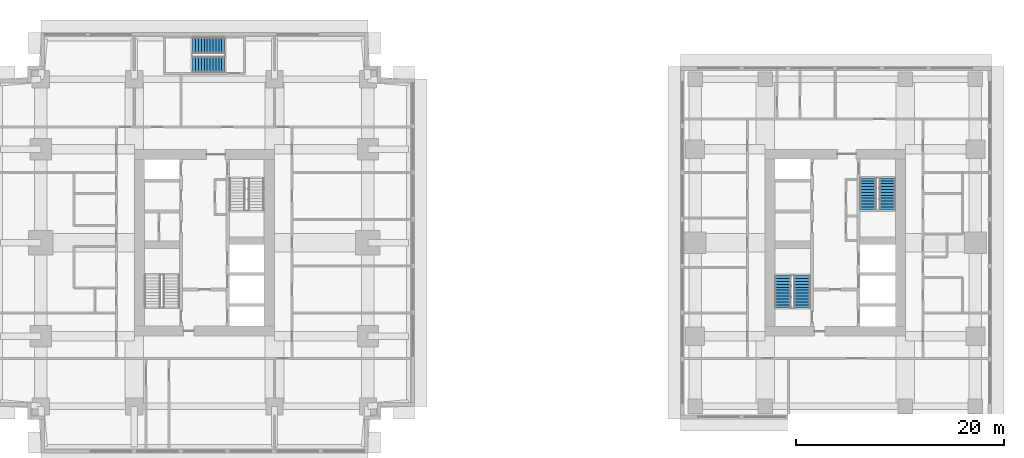
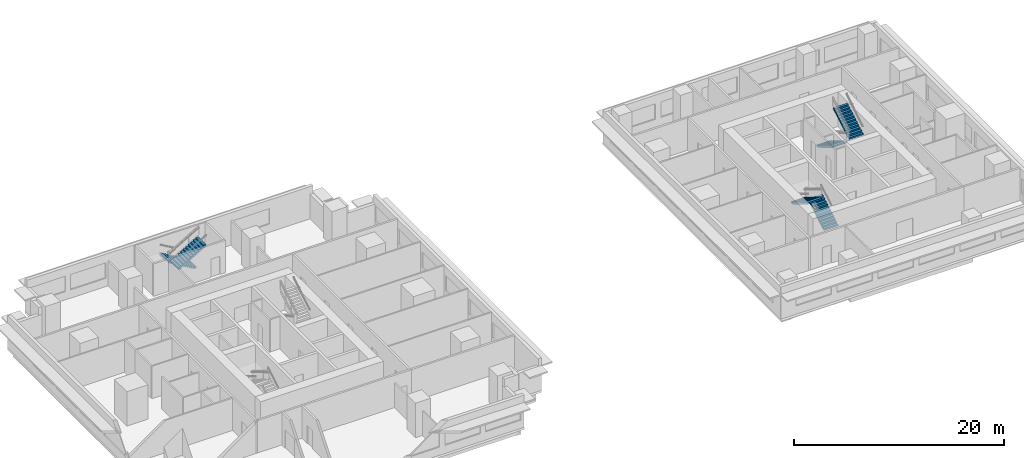
# One storey, part 9 of 11: 6 stair flights, 3 elements without a shape of their own.
"""IFC4 building model written with IfcOpenShell, lengths in metres."""

from ifc_helpers import new_model, si_unit, direction, frame, origin, place, context, subcontext, project, spatial, polyline, outline, extrude, material, type_object, element, aggregate, save


model = new_model("IFC4")

# Units and contexts
model_context = context("Model", 3, precision=1e-05, world=origin(), true_north=direction((0.0, 1.0)))
body_context = subcontext(model_context, "Body", "Model", "MODEL_VIEW")
ifc_project = project(units=[si_unit("LENGTHUNIT", "METRE"), si_unit("AREAUNIT", "SQUARE_METRE"), si_unit("VOLUMEUNIT", "CUBIC_METRE"), si_unit("PLANEANGLEUNIT", "RADIAN"), si_unit("MASSUNIT", "GRAM", prefix="KILO")], contexts=[model_context])

# Site, building, storey
site_placement = place(None, origin())
site = spatial("IfcSite", under=ifc_project, at=site_placement, CompositionType="ELEMENT")
building_placement = place(site_placement, origin())
building = spatial("IfcBuilding", under=site, at=building_placement, Name="Namib Vertical Campus", CompositionType="ELEMENT")
storey_placement = place(building_placement, frame((0.0, 0.0, 181.0)))
storey = spatial("IfcBuildingStorey", under=building, at=storey_placement, Name="L42", CompositionType="ELEMENT", Elevation=181.0)

# Stair, stair flights
ifc_material_1 = material(Name="Concrete C40/50 precast", Category="concrete")
stair_type_1 = type_object("IfcStairType", Name="Exit stair 4000 rise 24 risers 3350 wide", PredefinedType="HALF_TURN_STAIR", material=ifc_material_1)
stair_1_placement = place(storey_placement, origin())
stair_1 = element("IfcStair", 1, at=stair_1_placement, inside=storey, type_object=stair_type_1, Name="Exit stair A-S3 L42", PredefinedType="HALF_TURN_STAIR")
ifc_material_2 = material(Name="Concrete C40/50 precast", Category="concrete")
stair_flight_type_1 = type_object("IfcStairFlightType", Name="Stair flight 12 risers 167 1525 wide", PredefinedType="STRAIGHT", material=ifc_material_2)
stair_flight_1_placement = place(storey_placement, frame((22.199951171875, 39.237548828125, 0.0), z_axis=(0.0, 0.0, 1.0), x_axis=(-1.0, 0.0, 0.0)))
stair_flight_1 = element("IfcStairFlight", 2, at=stair_flight_1_placement, type_object=stair_flight_type_1, Name="A-S3 flight 1", NumberOfRisers=12, NumberOfTreads=11, PredefinedType="STRAIGHT", RiserHeight=0.166666667, TreadLength=0.28, context=body_context, shape_type="SweptSolid", body=[
    extrude(outline(polyline([(0.0, 0.0), (0.0, 0.166748046875), (0.280029296875, 0.166748046875), (0.280029296875, 0.333251953125), (0.56005859375, 0.333251953125), (0.56005859375, 0.5), (0.840087890625, 0.5), (0.840087890625, 0.666748046875), (1.1201171875, 0.666748046875), (1.1201171875, 0.833251953125), (1.39990234375, 0.833251953125), (1.39990234375, 1.0), (1.679931640625, 1.0), (1.679931640625, 1.166748046875), (1.9599609375, 1.166748046875), (1.9599609375, 1.333251953125), (2.239990234375, 1.333251953125), (2.239990234375, 1.5), (2.52001953125, 1.5), (2.52001953125, 1.666748046875), (2.800048828125, 1.666748046875), (2.800048828125, 1.833251953125), (3.080078125, 1.833251953125), (3.080078125, 2.0), (3.080078125, 1.658935546875), (0.29296875, 0.0), (0.0, 0.0)])), frame((0.0, 0.762451171875, 0.0), z_axis=(0.0, -1.0, 0.0), x_axis=(1.0, 0.0, 0.0)), (0.0, 0.0, 1.0), 1.52490234375),
])
stair_flight_2_placement = place(storey_placement, frame((19.1201171875, 37.41259765625, 2.0), z_axis=(0.0, 0.0, 1.0), x_axis=(1.0, 0.0, 0.0)))
stair_flight_2 = element("IfcStairFlight", 3, at=stair_flight_2_placement, type_object=stair_flight_type_1, Name="A-S3 flight 2", NumberOfRisers=12, NumberOfTreads=11, PredefinedType="STRAIGHT", RiserHeight=0.166666667, TreadLength=0.28, context=body_context, shape_type="SweptSolid", body=[
    extrude(outline(polyline([(0.0, 0.0), (0.0, 0.166748046875), (0.280029296875, 0.166748046875), (0.280029296875, 0.333251953125), (0.56005859375, 0.333251953125), (0.56005859375, 0.5), (0.840087890625, 0.5), (0.840087890625, 0.666748046875), (1.1201171875, 0.666748046875), (1.1201171875, 0.833251953125), (1.39990234375, 0.833251953125), (1.39990234375, 1.0), (1.679931640625, 1.0), (1.679931640625, 1.166748046875), (1.9599609375, 1.166748046875), (1.9599609375, 1.333251953125), (2.239990234375, 1.333251953125), (2.239990234375, 1.5), (2.52001953125, 1.5), (2.52001953125, 1.666748046875), (2.800048828125, 1.666748046875), (2.800048828125, 1.833251953125), (3.080078125, 1.833251953125), (3.080078125, 2.0), (3.080078125, 1.658935546875), (0.29296875, 0.0), (0.0, 0.0)])), frame((0.0, 0.762451171875, 0.0), z_axis=(0.0, -1.0, 0.0), x_axis=(1.0, 0.0, 0.0)), (0.0, 0.0, 1.0), 1.52490234375),
])
aggregate(stair_1, [stair_flight_1, stair_flight_2])

ifc_material_3 = material(Name="Concrete C40/50 precast", Category="concrete")
stair_type_2 = type_object("IfcStairType", Name="Exit stair 4000 rise 24 risers 3400 wide", PredefinedType="HALF_TURN_STAIR", material=ifc_material_3)
stair_2_placement = place(storey_placement, origin())
stair_2 = element("IfcStair", 4, at=stair_2_placement, inside=storey, type_object=stair_type_2, Name="Exit stair B-S1 L42", PredefinedType="HALF_TURN_STAIR")
ifc_material_4 = material(Name="Concrete C40/50 precast", Category="concrete")
stair_flight_type_2 = type_object("IfcStairFlightType", Name="Stair flight 12 risers 167 1550 wide", PredefinedType="STRAIGHT", material=ifc_material_4)
stair_flight_3_placement = place(storey_placement, frame((77.824951171875, 14.0, 0.0), z_axis=(0.0, 0.0, 1.0), x_axis=(0.0, 1.0, 0.0)))
stair_flight_3 = element("IfcStairFlight", 5, at=stair_flight_3_placement, type_object=stair_flight_type_2, Name="B-S1 flight 1", NumberOfRisers=12, NumberOfTreads=11, PredefinedType="STRAIGHT", RiserHeight=0.166666667, TreadLength=0.28, context=body_context, shape_type="SweptSolid", body=[
    extrude(outline(polyline([(0.0, 0.0), (0.0, 0.166748046875), (0.280029296875, 0.166748046875), (0.280029296875, 0.333251953125), (0.56005859375, 0.333251953125), (0.56005859375, 0.5), (0.840087890625, 0.5), (0.840087890625, 0.666748046875), (1.1201171875, 0.666748046875), (1.1201171875, 0.833251953125), (1.39990234375, 0.833251953125), (1.39990234375, 1.0), (1.679931640625, 1.0), (1.679931640625, 1.166748046875), (1.9599609375, 1.166748046875), (1.9599609375, 1.333251953125), (2.239990234375, 1.333251953125), (2.239990234375, 1.5), (2.52001953125, 1.5), (2.52001953125, 1.666748046875), (2.800048828125, 1.666748046875), (2.800048828125, 1.833251953125), (3.080078125, 1.833251953125), (3.080078125, 2.0), (3.080078125, 1.658935546875), (0.29296875, 0.0), (0.0, 0.0)])), frame((0.0, 0.77490234375, 0.0), z_axis=(0.0, -1.0, 0.0), x_axis=(1.0, 0.0, 0.0)), (0.0, 0.0, 1.0), 1.550048828125),
])
stair_flight_4_placement = place(storey_placement, frame((75.97509765625, 17.080078125, 2.0), z_axis=(0.0, 0.0, 1.0), x_axis=(0.0, -1.0, 0.0)))
stair_flight_4 = element("IfcStairFlight", 6, at=stair_flight_4_placement, type_object=stair_flight_type_2, Name="B-S1 flight 2", NumberOfRisers=12, NumberOfTreads=11, PredefinedType="STRAIGHT", RiserHeight=0.166666667, TreadLength=0.28, context=body_context, shape_type="SweptSolid", body=[
    extrude(outline(polyline([(0.0, 0.0), (0.0, 0.166748046875), (0.280029296875, 0.166748046875), (0.280029296875, 0.333251953125), (0.56005859375, 0.333251953125), (0.56005859375, 0.5), (0.840087890625, 0.5), (0.840087890625, 0.666748046875), (1.1201171875, 0.666748046875), (1.1201171875, 0.833251953125), (1.39990234375, 0.833251953125), (1.39990234375, 1.0), (1.679931640625, 1.0), (1.679931640625, 1.166748046875), (1.9599609375, 1.166748046875), (1.9599609375, 1.333251953125), (2.239990234375, 1.333251953125), (2.239990234375, 1.5), (2.52001953125, 1.5), (2.52001953125, 1.666748046875), (2.800048828125, 1.666748046875), (2.800048828125, 1.833251953125), (3.080078125, 1.833251953125), (3.080078125, 2.0), (3.080078125, 1.658935546875), (0.29296875, 0.0), (0.0, 0.0)])), frame((0.0, 0.77490234375, 0.0), z_axis=(0.0, -1.0, 0.0), x_axis=(1.0, 0.0, 0.0)), (0.0, 0.0, 1.0), 1.550048828125),
])
aggregate(stair_2, [stair_flight_3, stair_flight_4])

stair_3_placement = place(storey_placement, origin())
stair_3 = element("IfcStair", 7, at=stair_3_placement, inside=storey, type_object=stair_type_2, Name="Exit stair B-S2 L42", PredefinedType="HALF_TURN_STAIR")
stair_flight_5_placement = place(storey_placement, frame((84.175048828125, 26.5, 0.0), z_axis=(0.0, 0.0, 1.0), x_axis=(0.0, -1.0, 0.0)))
stair_flight_5 = element("IfcStairFlight", 8, at=stair_flight_5_placement, type_object=stair_flight_type_2, Name="B-S2 flight 1", NumberOfRisers=12, NumberOfTreads=11, PredefinedType="STRAIGHT", RiserHeight=0.166666667, TreadLength=0.28, context=body_context, shape_type="SweptSolid", body=[
    extrude(outline(polyline([(0.0, 0.0), (0.0, 0.166748046875), (0.280029296875, 0.166748046875), (0.280029296875, 0.333251953125), (0.56005859375, 0.333251953125), (0.56005859375, 0.5), (0.840087890625, 0.5), (0.840087890625, 0.666748046875), (1.1201171875, 0.666748046875), (1.1201171875, 0.833251953125), (1.39990234375, 0.833251953125), (1.39990234375, 1.0), (1.679931640625, 1.0), (1.679931640625, 1.166748046875), (1.9599609375, 1.166748046875), (1.9599609375, 1.333251953125), (2.239990234375, 1.333251953125), (2.239990234375, 1.5), (2.52001953125, 1.5), (2.52001953125, 1.666748046875), (2.800048828125, 1.666748046875), (2.800048828125, 1.833251953125), (3.080078125, 1.833251953125), (3.080078125, 2.0), (3.080078125, 1.658935546875), (0.29296875, 0.0), (0.0, 0.0)])), frame((0.0, 0.77490234375, 0.0), z_axis=(0.0, -1.0, 0.0), x_axis=(1.0, 0.0, 0.0)), (0.0, 0.0, 1.0), 1.550048828125),
])
stair_flight_6_placement = place(storey_placement, frame((86.02490234375, 23.419921875, 2.0), z_axis=(0.0, 0.0, 1.0), x_axis=(0.0, 1.0, 0.0)))
stair_flight_6 = element("IfcStairFlight", 9, at=stair_flight_6_placement, type_object=stair_flight_type_2, Name="B-S2 flight 2", NumberOfRisers=12, NumberOfTreads=11, PredefinedType="STRAIGHT", RiserHeight=0.166666667, TreadLength=0.28, context=body_context, shape_type="SweptSolid", body=[
    extrude(outline(polyline([(0.0, 0.0), (0.0, 0.166748046875), (0.280029296875, 0.166748046875), (0.280029296875, 0.333251953125), (0.56005859375, 0.333251953125), (0.56005859375, 0.5), (0.840087890625, 0.5), (0.840087890625, 0.666748046875), (1.1201171875, 0.666748046875), (1.1201171875, 0.833251953125), (1.39990234375, 0.833251953125), (1.39990234375, 1.0), (1.679931640625, 1.0), (1.679931640625, 1.166748046875), (1.9599609375, 1.166748046875), (1.9599609375, 1.333251953125), (2.239990234375, 1.333251953125), (2.239990234375, 1.5), (2.52001953125, 1.5), (2.52001953125, 1.666748046875), (2.800048828125, 1.666748046875), (2.800048828125, 1.833251953125), (3.080078125, 1.833251953125), (3.080078125, 2.0), (3.080078125, 1.658935546875), (0.29296875, 0.0), (0.0, 0.0)])), frame((0.0, 0.77490234375, 0.0), z_axis=(0.0, -1.0, 0.0), x_axis=(1.0, 0.0, 0.0)), (0.0, 0.0, 1.0), 1.550048828125),
])
aggregate(stair_3, [stair_flight_5, stair_flight_6])

save(model, "model.ifc")
